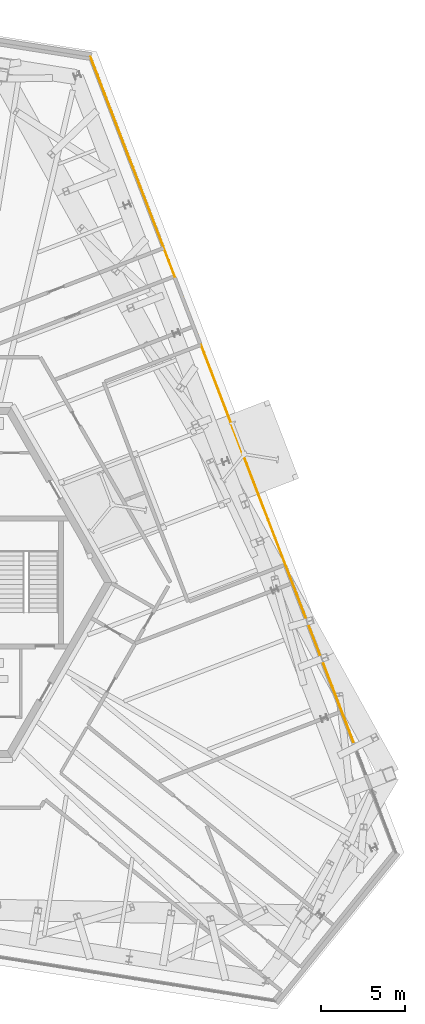
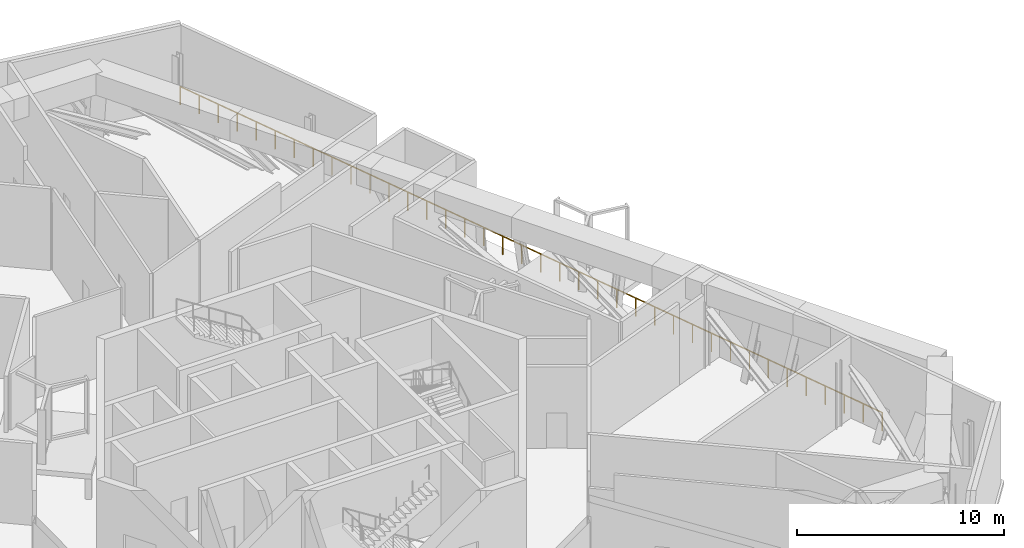
# One storey, part 13 of 14: 1 railing.
"""IFC4 building model written with IfcOpenShell, lengths in metres."""

from ifc_helpers import new_model, si_unit, direction, frame, origin, origin_2d, place, context, subcontext, project, spatial, circle, extrude, material, type_object, element, save


model = new_model("IFC4")

# Units and contexts
model_context = context("Model", 3, precision=1e-05, world=origin(), true_north=direction((0.0, 1.0)))
body_context = subcontext(model_context, "Body", "Model", "MODEL_VIEW")
ifc_project = project(units=[si_unit("LENGTHUNIT", "METRE"), si_unit("AREAUNIT", "SQUARE_METRE"), si_unit("VOLUMEUNIT", "CUBIC_METRE"), si_unit("PLANEANGLEUNIT", "RADIAN"), si_unit("MASSUNIT", "GRAM", prefix="KILO")], contexts=[model_context])

# Site, building, storey
site_placement = place(None, origin())
site = spatial("IfcSite", under=ifc_project, at=site_placement, CompositionType="ELEMENT")
building_placement = place(site_placement, origin())
building = spatial("IfcBuilding", under=site, at=building_placement, Name="Triune Harvest Tower", CompositionType="ELEMENT")
storey_placement = place(building_placement, frame((0.0, 0.0, 174.925048828125)))
storey = spatial("IfcBuildingStorey", under=building, at=storey_placement, Name="L45", CompositionType="ELEMENT", Elevation=174.925048828125)

# Railing
ifc_material = material(Name="Steel ASTM A992 Gr 50", Category="steel")
railing_type = type_object("IfcRailingType", Name="GD-4 slot guard 1100", PredefinedType="GUARDRAIL", material=ifc_material)
railing_placement = place(storey_placement, frame((26.35009765625, -9.485107421875, 0.0)))
element("IfcRailing", 1, at=railing_placement, inside=storey, type_object=railing_type, Name="Slot guard B4-F1 3", PredefinedType="GUARDRAIL", context=body_context, shape_type="SweptSolid", body=[
    extrude(circle(Radius=0.02392578125, at=origin_2d()), frame((0.0, 0.0, 1.076171875), z_axis=(-0.358368854539, 0.933580079102, 0.0), x_axis=(-0.933580079102, -0.358368854539, 0.0)), (0.0, 0.0, 1.0), 43.624755859375),
    extrude(circle(Radius=0.02099609375, at=origin_2d()), origin(), (0.0, 0.0, 1.0), 1.052001953125),
    extrude(circle(Radius=0.02099609375, at=origin_2d()), frame((-0.422607421875, 1.100830078125, 0.0)), (0.0, 0.0, 1.0), 1.052001953125),
    extrude(circle(Radius=0.02099609375, at=origin_2d()), frame((-0.844970703125, 2.201416015625, 0.0)), (0.0, 0.0, 1.0), 1.052001953125),
    extrude(circle(Radius=0.02099609375, at=origin_2d()), frame((-1.267578125, 3.30224609375, 0.0)), (0.0, 0.0, 1.0), 1.052001953125),
    extrude(circle(Radius=0.02099609375, at=origin_2d()), frame((-1.690185546875, 4.40283203125, 0.0)), (0.0, 0.0, 1.0), 1.052001953125),
    extrude(circle(Radius=0.02099609375, at=origin_2d()), frame((-2.11279296875, 5.503662109375, 0.0)), (0.0, 0.0, 1.0), 1.052001953125),
    extrude(circle(Radius=0.02099609375, at=origin_2d()), frame((-2.53515625, 6.6044921875, 0.0)), (0.0, 0.0, 1.0), 1.052001953125),
    extrude(circle(Radius=0.02099609375, at=origin_2d()), frame((-2.957763671875, 7.705078125, 0.0)), (0.0, 0.0, 1.0), 1.052001953125),
    extrude(circle(Radius=0.02099609375, at=origin_2d()), frame((-3.38037109375, 8.805908203125, 0.0)), (0.0, 0.0, 1.0), 1.052001953125),
    extrude(circle(Radius=0.02099609375, at=origin_2d()), frame((-3.802734375, 9.90673828125, 0.0)), (0.0, 0.0, 1.0), 1.052001953125),
    extrude(circle(Radius=0.02099609375, at=origin_2d()), frame((-4.225341796875, 11.00732421875, 0.0)), (0.0, 0.0, 1.0), 1.052001953125),
    extrude(circle(Radius=0.02099609375, at=origin_2d()), frame((-4.64794921875, 12.108154296875, 0.0)), (0.0, 0.0, 1.0), 1.052001953125),
    extrude(circle(Radius=0.02099609375, at=origin_2d()), frame((-5.0703125, 13.208740234375, 0.0)), (0.0, 0.0, 1.0), 1.052001953125),
    extrude(circle(Radius=0.02099609375, at=origin_2d()), frame((-5.492919921875, 14.3095703125, 0.0)), (0.0, 0.0, 1.0), 1.052001953125),
    extrude(circle(Radius=0.02099609375, at=origin_2d()), frame((-5.91552734375, 15.410400390625, 0.0)), (0.0, 0.0, 1.0), 1.052001953125),
    extrude(circle(Radius=0.02099609375, at=origin_2d()), frame((-6.338134765625, 16.510986328125, 0.0)), (0.0, 0.0, 1.0), 1.052001953125),
    extrude(circle(Radius=0.02099609375, at=origin_2d()), frame((-6.760498046875, 17.61181640625, 0.0)), (0.0, 0.0, 1.0), 1.052001953125),
    extrude(circle(Radius=0.02099609375, at=origin_2d()), frame((-7.18310546875, 18.712646484375, 0.0)), (0.0, 0.0, 1.0), 1.052001953125),
    extrude(circle(Radius=0.02099609375, at=origin_2d()), frame((-7.605712890625, 19.813232421875, 0.0)), (0.0, 0.0, 1.0), 1.052001953125),
    extrude(circle(Radius=0.02099609375, at=origin_2d()), frame((-8.028076171875, 20.9140625, 0.0)), (0.0, 0.0, 1.0), 1.052001953125),
    extrude(circle(Radius=0.02099609375, at=origin_2d()), frame((-8.45068359375, 22.0146484375, 0.0)), (0.0, 0.0, 1.0), 1.052001953125),
    extrude(circle(Radius=0.02099609375, at=origin_2d()), frame((-8.873291015625, 23.115478515625, 0.0)), (0.0, 0.0, 1.0), 1.052001953125),
    extrude(circle(Radius=0.02099609375, at=origin_2d()), frame((-9.295654296875, 24.21630859375, 0.0)), (0.0, 0.0, 1.0), 1.052001953125),
    extrude(circle(Radius=0.02099609375, at=origin_2d()), frame((-9.71826171875, 25.31689453125, 0.0)), (0.0, 0.0, 1.0), 1.052001953125),
    extrude(circle(Radius=0.02099609375, at=origin_2d()), frame((-10.140869140625, 26.417724609375, 0.0)), (0.0, 0.0, 1.0), 1.052001953125),
    extrude(circle(Radius=0.02099609375, at=origin_2d()), frame((-10.5634765625, 27.5185546875, 0.0)), (0.0, 0.0, 1.0), 1.052001953125),
    extrude(circle(Radius=0.02099609375, at=origin_2d()), frame((-10.98583984375, 28.619140625, 0.0)), (0.0, 0.0, 1.0), 1.052001953125),
    extrude(circle(Radius=0.02099609375, at=origin_2d()), frame((-11.408447265625, 29.719970703125, 0.0)), (0.0, 0.0, 1.0), 1.052001953125),
    extrude(circle(Radius=0.02099609375, at=origin_2d()), frame((-11.8310546875, 30.820556640625, 0.0)), (0.0, 0.0, 1.0), 1.052001953125),
    extrude(circle(Radius=0.02099609375, at=origin_2d()), frame((-12.25341796875, 31.92138671875, 0.0)), (0.0, 0.0, 1.0), 1.052001953125),
    extrude(circle(Radius=0.02099609375, at=origin_2d()), frame((-12.676025390625, 33.022216796875, 0.0)), (0.0, 0.0, 1.0), 1.052001953125),
    extrude(circle(Radius=0.02099609375, at=origin_2d()), frame((-13.0986328125, 34.122802734375, 0.0)), (0.0, 0.0, 1.0), 1.052001953125),
    extrude(circle(Radius=0.02099609375, at=origin_2d()), frame((-13.52099609375, 35.2236328125, 0.0)), (0.0, 0.0, 1.0), 1.052001953125),
    extrude(circle(Radius=0.02099609375, at=origin_2d()), frame((-13.943603515625, 36.324462890625, 0.0)), (0.0, 0.0, 1.0), 1.052001953125),
    extrude(circle(Radius=0.02099609375, at=origin_2d()), frame((-14.3662109375, 37.425048828125, 0.0)), (0.0, 0.0, 1.0), 1.052001953125),
    extrude(circle(Radius=0.02099609375, at=origin_2d()), frame((-14.788818359375, 38.52587890625, 0.0)), (0.0, 0.0, 1.0), 1.052001953125),
    extrude(circle(Radius=0.02099609375, at=origin_2d()), frame((-15.211181640625, 39.62646484375, 0.0)), (0.0, 0.0, 1.0), 1.052001953125),
    extrude(circle(Radius=0.02099609375, at=origin_2d()), frame((-15.6337890625, 40.727294921875, 0.0)), (0.0, 0.0, 1.0), 1.052001953125),
])

save(model, "model.ifc")
